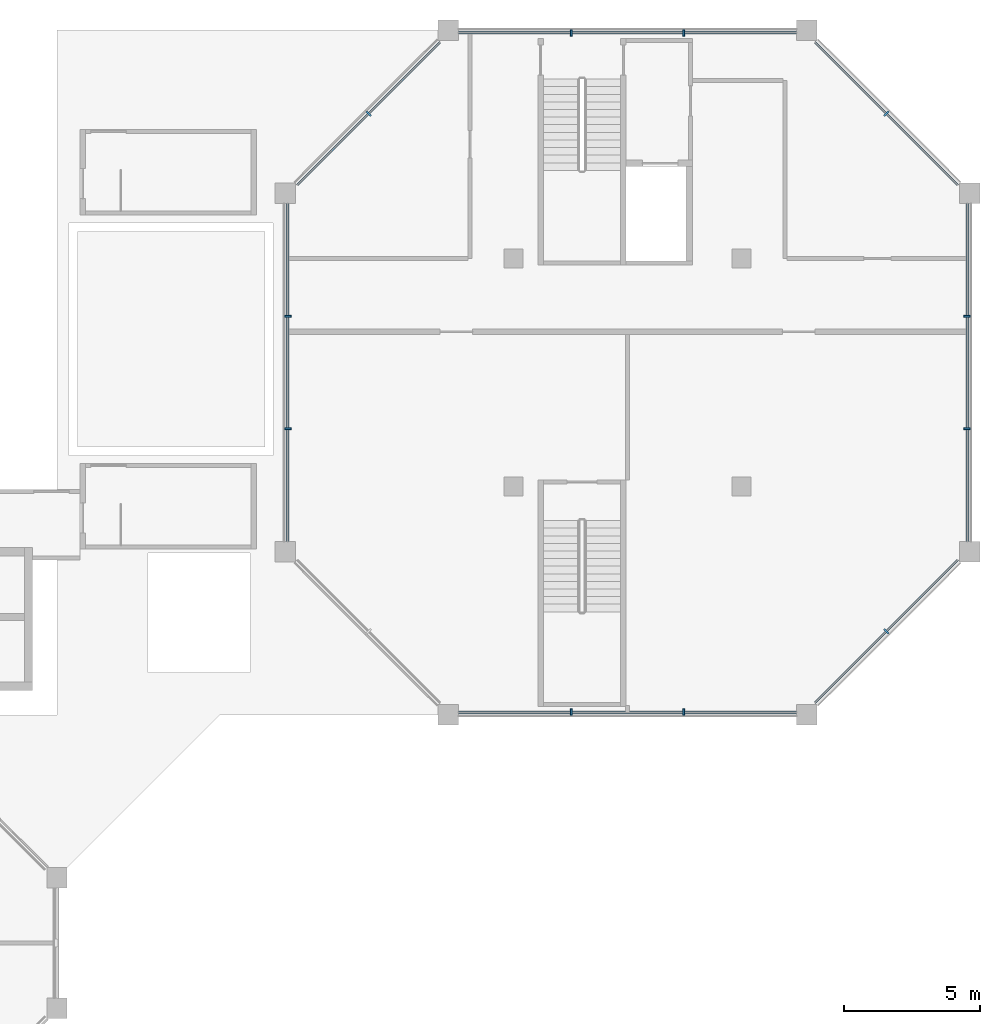
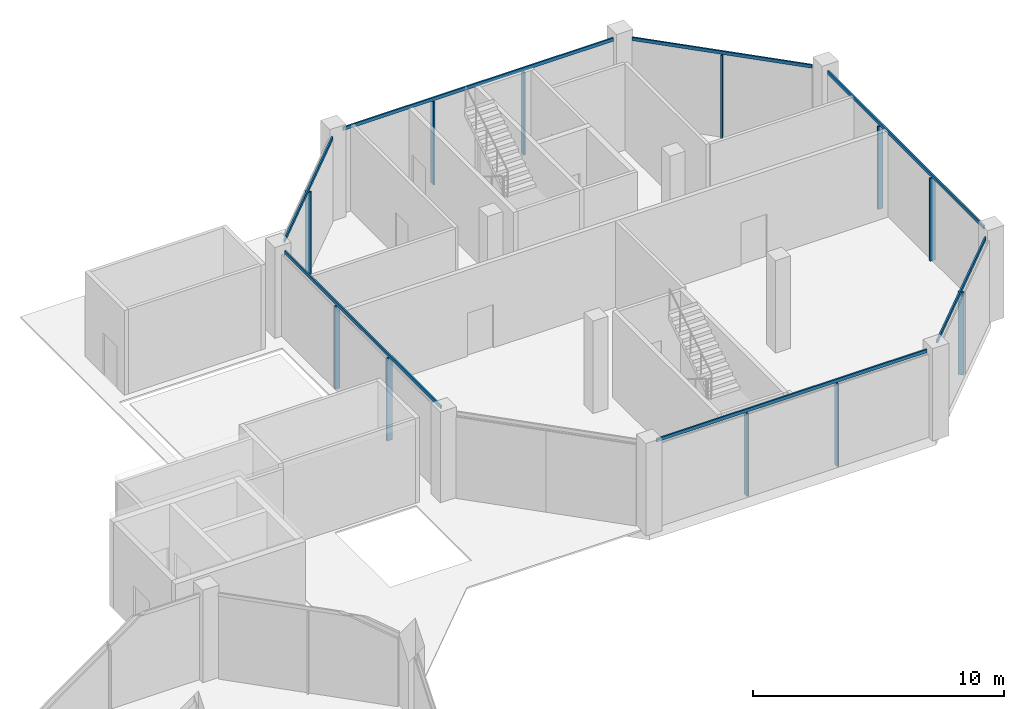
# One storey, part 3 of 10: 18 members, 7 elements without a shape of their own.
"""IFC4 building model written with IfcOpenShell, lengths in metres."""

from ifc_helpers import new_model, si_unit, direction, frame, origin, origin_2d, place, context, subcontext, project, spatial, rectangle, extrude, material, layer, layer_set, material_profile, profile_set, type_object, element, aggregate, save


model = new_model("IFC4")

# Units and contexts
model_context = context("Model", 3, precision=1e-05, world=origin(), true_north=direction((0.0, 1.0)))
body_context = subcontext(model_context, "Body", "Model", "MODEL_VIEW")
ifc_project = project(units=[si_unit("LENGTHUNIT", "METRE"), si_unit("AREAUNIT", "SQUARE_METRE"), si_unit("VOLUMEUNIT", "CUBIC_METRE"), si_unit("PLANEANGLEUNIT", "RADIAN"), si_unit("MASSUNIT", "GRAM", prefix="KILO")], contexts=[model_context])

# Site, building, storey
site_placement = place(None, origin())
site = spatial("IfcSite", under=ifc_project, at=site_placement, CompositionType="ELEMENT")
building_placement = place(site_placement, origin())
building = spatial("IfcBuilding", under=site, at=building_placement, Name="Kawkab Arch Medical Tower", CompositionType="ELEMENT")
storey_placement = place(building_placement, frame((0.0, 0.0, 336.699951171875)))
storey = spatial("IfcBuildingStorey", under=building, at=storey_placement, Name="L78", CompositionType="ELEMENT", Elevation=336.699951171875)

# Curtain wall, member
ifc_material_1 = material(Name="Bronze anodised aluminium curtain wall frame", Category="aluminium")
ifc_layer = layer(ifc_material_1, 0.159912109375)
ifc_layer_set = layer_set([ifc_layer], Name="Bronze anodised aluminium curtain wall frame")
curtain_wall_type = type_object("IfcCurtainWallType", Name="CW6 helipad lobby and crown glazing", PredefinedType="NOTDEFINED", material=ifc_layer_set)
placement = place(storey_placement, origin())
curtain_wall_1 = element("IfcCurtainWall", 1, at=placement, inside=storey, type_object=curtain_wall_type, Name="CW6 Helipad lobby and crown glazing R01", PredefinedType="NOTDEFINED")
ifc_material_2 = material(Name="Bronze anodised aluminium curtain wall frame", Category="aluminium")
ifc_material_profile_1 = material_profile(ifc_material_2, rectangle(XDim=0.239990234375, YDim=0.070068359375, at=origin_2d()), Name="AL 70x240")
ifc_profile_set_1 = profile_set([ifc_material_profile_1], Name="Bronze anodised aluminium curtain wall frame")
member_type_1 = type_object("IfcMemberType", Name="CW6 mullion 70 x 240", PredefinedType="MULLION", material=ifc_profile_set_1)
member_1_placement = place(storey_placement, frame((55.729248046875, -3.07080078125, 0.0), z_axis=(0.0, 0.0, 1.0), x_axis=(-0.707106781187, -0.707106781187, 0.0)))
member_1 = element("IfcMember", 2, at=member_1_placement, type_object=member_type_1, Name="CW6 mullion 1.1", PredefinedType="MULLION", context=body_context, shape_type="SweptSolid", body=[
    extrude(rectangle(XDim=0.239990234375, YDim=0.070068359375, at=origin_2d()), origin(), (0.0, 0.0, 1.0), 4.0400390625),
])

# Curtain wall, members
curtain_wall_2 = element("IfcCurtainWall", 3, at=placement, inside=storey, type_object=curtain_wall_type, Name="CW6 Helipad lobby and crown glazing R02", PredefinedType="NOTDEFINED")
member_2_placement = place(storey_placement, frame((48.27490234375, -0.10009765625, 0.0), z_axis=(0.0, 0.0, 1.0), x_axis=(0.0, -1.0, 0.0)))
member_2 = element("IfcMember", 4, at=member_2_placement, type_object=member_type_1, Name="CW6 mullion 1.1", PredefinedType="MULLION", context=body_context, shape_type="SweptSolid", body=[
    extrude(rectangle(XDim=0.239990234375, YDim=0.070068359375, at=origin_2d()), origin(), (0.0, 0.0, 1.0), 4.0400390625),
])
member_3_placement = place(storey_placement, frame((44.125, -0.10009765625, 0.0), z_axis=(0.0, 0.0, 1.0), x_axis=(0.0, -1.0, 0.0)))
member_3 = element("IfcMember", 5, at=member_3_placement, type_object=member_type_1, Name="CW6 mullion 1.2", PredefinedType="MULLION", context=body_context, shape_type="SweptSolid", body=[
    extrude(rectangle(XDim=0.239990234375, YDim=0.070068359375, at=origin_2d()), origin(), (0.0, 0.0, 1.0), 4.0400390625),
])

# Curtain wall, member
curtain_wall_3 = element("IfcCurtainWall", 6, at=placement, inside=storey, type_object=curtain_wall_type, Name="CW6 Helipad lobby and crown glazing R03", PredefinedType="NOTDEFINED")
member_4_placement = place(storey_placement, frame((36.670654296875, -3.07080078125, 0.0), z_axis=(0.0, 0.0, 1.0), x_axis=(0.707106781187, -0.707106781187, 0.0)))
member_4 = element("IfcMember", 7, at=member_4_placement, type_object=member_type_1, Name="CW6 mullion 1.1", PredefinedType="MULLION", context=body_context, shape_type="SweptSolid", body=[
    extrude(rectangle(XDim=0.239990234375, YDim=0.070068359375, at=origin_2d()), origin(), (0.0, 0.0, 1.0), 4.0400390625),
])

# Curtain wall, members
curtain_wall_4 = element("IfcCurtainWall", 8, at=placement, inside=storey, type_object=curtain_wall_type, Name="CW6 Helipad lobby and crown glazing R04", PredefinedType="NOTDEFINED")
member_5_placement = place(storey_placement, frame((33.699951171875, -10.52490234375, 0.0), z_axis=(0.0, 0.0, 1.0), x_axis=(1.0, 0.0, 0.0)))
member_5 = element("IfcMember", 9, at=member_5_placement, type_object=member_type_1, Name="CW6 mullion 1.1", PredefinedType="MULLION", context=body_context, shape_type="SweptSolid", body=[
    extrude(rectangle(XDim=0.239990234375, YDim=0.070068359375, at=origin_2d()), origin(), (0.0, 0.0, 1.0), 4.0400390625),
])
member_6_placement = place(storey_placement, frame((33.699951171875, -14.675048828125, 0.0), z_axis=(0.0, 0.0, 1.0), x_axis=(1.0, 0.0, 0.0)))
member_6 = element("IfcMember", 10, at=member_6_placement, type_object=member_type_1, Name="CW6 mullion 1.2", PredefinedType="MULLION", context=body_context, shape_type="SweptSolid", body=[
    extrude(rectangle(XDim=0.239990234375, YDim=0.070068359375, at=origin_2d()), origin(), (0.0, 0.0, 1.0), 4.0400390625),
])

curtain_wall_5 = element("IfcCurtainWall", 11, at=placement, inside=storey, type_object=curtain_wall_type, Name="CW6 Helipad lobby and crown glazing R06", PredefinedType="NOTDEFINED")
member_7_placement = place(storey_placement, frame((44.125, -25.10009765625, 0.0), z_axis=(0.0, 0.0, 1.0), x_axis=(0.0, 1.0, 0.0)))
member_7 = element("IfcMember", 12, at=member_7_placement, type_object=member_type_1, Name="CW6 mullion 1.1", PredefinedType="MULLION", context=body_context, shape_type="SweptSolid", body=[
    extrude(rectangle(XDim=0.239990234375, YDim=0.070068359375, at=origin_2d()), origin(), (0.0, 0.0, 1.0), 4.0400390625),
])
member_8_placement = place(storey_placement, frame((48.27490234375, -25.10009765625, 0.0), z_axis=(0.0, 0.0, 1.0), x_axis=(0.0, 1.0, 0.0)))
member_8 = element("IfcMember", 13, at=member_8_placement, type_object=member_type_1, Name="CW6 mullion 1.2", PredefinedType="MULLION", context=body_context, shape_type="SweptSolid", body=[
    extrude(rectangle(XDim=0.239990234375, YDim=0.070068359375, at=origin_2d()), origin(), (0.0, 0.0, 1.0), 4.0400390625),
])

# Curtain wall, member
curtain_wall_6 = element("IfcCurtainWall", 14, at=placement, inside=storey, type_object=curtain_wall_type, Name="CW6 Helipad lobby and crown glazing R07", PredefinedType="NOTDEFINED")
member_9_placement = place(storey_placement, frame((55.729248046875, -22.12939453125, 0.0), z_axis=(0.0, 0.0, 1.0), x_axis=(-0.707106781187, 0.707106781187, 0.0)))
member_9 = element("IfcMember", 15, at=member_9_placement, type_object=member_type_1, Name="CW6 mullion 1.1", PredefinedType="MULLION", context=body_context, shape_type="SweptSolid", body=[
    extrude(rectangle(XDim=0.239990234375, YDim=0.070068359375, at=origin_2d()), origin(), (0.0, 0.0, 1.0), 4.0400390625),
])

# Curtain wall, members
curtain_wall_7 = element("IfcCurtainWall", 16, at=placement, inside=storey, type_object=curtain_wall_type, Name="CW6 Helipad lobby and crown glazing R08", PredefinedType="NOTDEFINED")
member_10_placement = place(storey_placement, frame((58.699951171875, -14.675048828125, 0.0), z_axis=(0.0, 0.0, 1.0), x_axis=(-1.0, 0.0, 0.0)))
member_10 = element("IfcMember", 17, at=member_10_placement, type_object=member_type_1, Name="CW6 mullion 1.1", PredefinedType="MULLION", context=body_context, shape_type="SweptSolid", body=[
    extrude(rectangle(XDim=0.239990234375, YDim=0.070068359375, at=origin_2d()), origin(), (0.0, 0.0, 1.0), 4.0400390625),
])
member_11_placement = place(storey_placement, frame((58.699951171875, -10.52490234375, 0.0), z_axis=(0.0, 0.0, 1.0), x_axis=(-1.0, 0.0, 0.0)))
member_11 = element("IfcMember", 18, at=member_11_placement, type_object=member_type_1, Name="CW6 mullion 1.2", PredefinedType="MULLION", context=body_context, shape_type="SweptSolid", body=[
    extrude(rectangle(XDim=0.239990234375, YDim=0.070068359375, at=origin_2d()), origin(), (0.0, 0.0, 1.0), 4.0400390625),
])

# Member
ifc_material_3 = material(Name="Bronze anodised aluminium curtain wall frame", Category="aluminium")
ifc_material_profile_2 = material_profile(ifc_material_3, rectangle(XDim=0.070068359375, YDim=0.159912109375, at=origin_2d()), Name="AL 70x160")
ifc_profile_set_2 = profile_set([ifc_material_profile_2], Name="Bronze anodised aluminium curtain wall frame")
member_type_2 = type_object("IfcMemberType", Name="CW6 transom 160 x 70", PredefinedType="USERDEFINED", material=ifc_profile_set_2)
member_12_placement = place(storey_placement, frame((58.354248046875, -5.69580078125, 4.1201171875), z_axis=(-0.707090340093, 0.707123221898, 0.0), x_axis=(-0.707123221898, -0.707090340093, 0.0)))
member_12 = element("IfcMember", 19, at=member_12_placement, type_object=member_type_2, Name="CW6 transom 1", ObjectType="TRANSOM", PredefinedType="USERDEFINED", context=body_context, shape_type="SweptSolid", body=[
    extrude(rectangle(XDim=0.070068359375, YDim=0.159912109375, at=origin_2d()), origin(), (0.0, 0.0, 1.0), 7.4248046875),
])

aggregate(curtain_wall_1, [member_12, member_1])

member_13_placement = place(storey_placement, frame((52.425048828125, -0.10009765625, 4.1201171875), z_axis=(-1.0, 0.0, 0.0), x_axis=(0.0, -1.0, 0.0)))
member_13 = element("IfcMember", 20, at=member_13_placement, type_object=member_type_2, Name="CW6 transom 1", ObjectType="TRANSOM", PredefinedType="USERDEFINED", context=body_context, shape_type="SweptSolid", body=[
    extrude(rectangle(XDim=0.070068359375, YDim=0.159912109375, at=origin_2d()), origin(), (0.0, 0.0, 1.0), 12.449951171875),
])

aggregate(curtain_wall_2, [member_13, member_2, member_3])

member_14_placement = place(storey_placement, frame((39.295654296875, -0.44580078125, 4.1201171875), z_axis=(-0.707106781187, -0.707106781187, 0.0), x_axis=(0.707106781187, -0.707106781187, 0.0)))
member_14 = element("IfcMember", 21, at=member_14_placement, type_object=member_type_2, Name="CW6 transom 1", ObjectType="TRANSOM", PredefinedType="USERDEFINED", context=body_context, shape_type="SweptSolid", body=[
    extrude(rectangle(XDim=0.070068359375, YDim=0.159912109375, at=origin_2d()), origin(), (0.0, 0.0, 1.0), 7.424560546875),
])

aggregate(curtain_wall_3, [member_14, member_4])

member_15_placement = place(storey_placement, frame((33.699951171875, -6.375, 4.1201171875), z_axis=(0.0, -1.0, 0.0), x_axis=(1.0, 0.0, 0.0)))
member_15 = element("IfcMember", 22, at=member_15_placement, type_object=member_type_2, Name="CW6 transom 1", ObjectType="TRANSOM", PredefinedType="USERDEFINED", context=body_context, shape_type="SweptSolid", body=[
    extrude(rectangle(XDim=0.070068359375, YDim=0.159912109375, at=origin_2d()), origin(), (0.0, 0.0, 1.0), 12.449951171875),
])

aggregate(curtain_wall_4, [member_15, member_5, member_6])

member_16_placement = place(storey_placement, frame((39.97509765625, -25.10009765625, 4.1201171875), z_axis=(1.0, 0.0, 0.0), x_axis=(0.0, 1.0, 0.0)))
member_16 = element("IfcMember", 23, at=member_16_placement, type_object=member_type_2, Name="CW6 transom 1", ObjectType="TRANSOM", PredefinedType="USERDEFINED", context=body_context, shape_type="SweptSolid", body=[
    extrude(rectangle(XDim=0.070068359375, YDim=0.159912109375, at=origin_2d()), origin(), (0.0, 0.0, 1.0), 12.449951171875),
])

aggregate(curtain_wall_5, [member_16, member_7, member_8])

member_17_placement = place(storey_placement, frame((53.104248046875, -24.75439453125, 4.1201171875), z_axis=(0.707090340093, 0.707123221898, 0.0), x_axis=(-0.707123221898, 0.707090340093, 0.0)))
member_17 = element("IfcMember", 24, at=member_17_placement, type_object=member_type_2, Name="CW6 transom 1", ObjectType="TRANSOM", PredefinedType="USERDEFINED", context=body_context, shape_type="SweptSolid", body=[
    extrude(rectangle(XDim=0.070068359375, YDim=0.159912109375, at=origin_2d()), origin(), (0.0, 0.0, 1.0), 7.4248046875),
])

aggregate(curtain_wall_6, [member_17, member_9])

member_18_placement = place(storey_placement, frame((58.699951171875, -18.824951171875, 4.1201171875), z_axis=(0.0, 1.0, 0.0), x_axis=(-1.0, 0.0, 0.0)))
member_18 = element("IfcMember", 25, at=member_18_placement, type_object=member_type_2, Name="CW6 transom 1", ObjectType="TRANSOM", PredefinedType="USERDEFINED", context=body_context, shape_type="SweptSolid", body=[
    extrude(rectangle(XDim=0.070068359375, YDim=0.159912109375, at=origin_2d()), origin(), (0.0, 0.0, 1.0), 12.449951171875),
])

aggregate(curtain_wall_7, [member_18, member_10, member_11])

save(model, "model.ifc")
